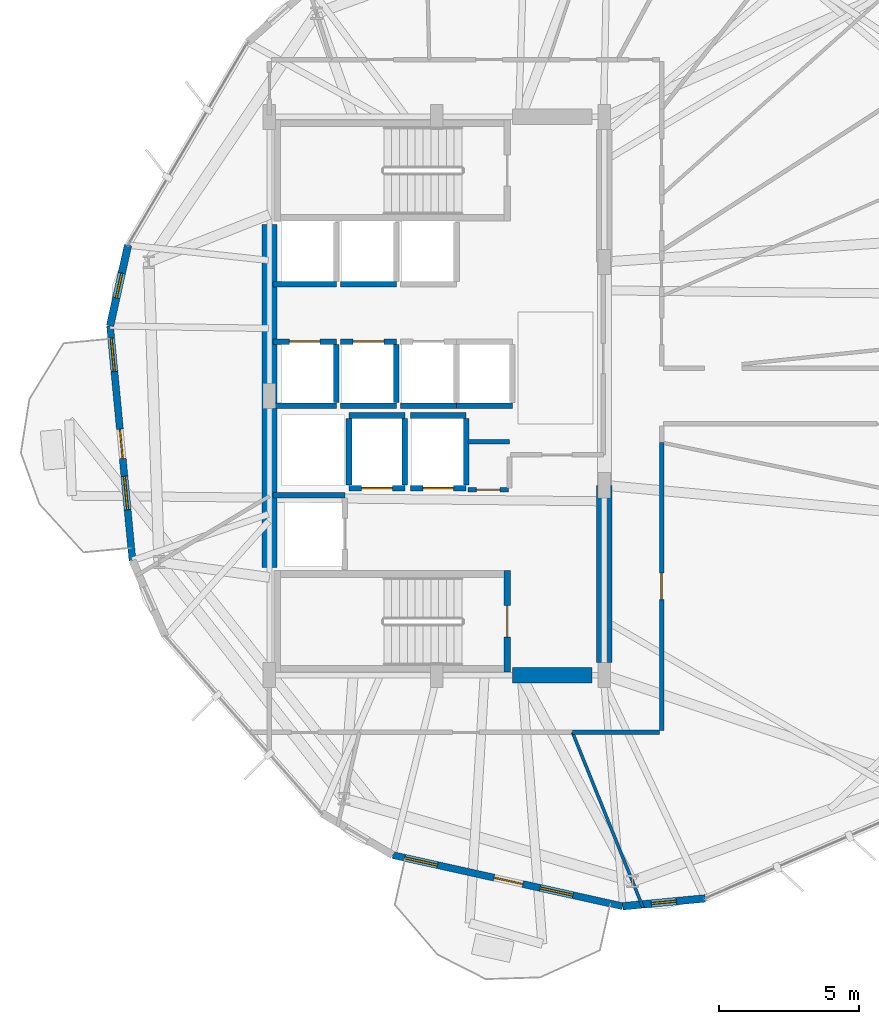
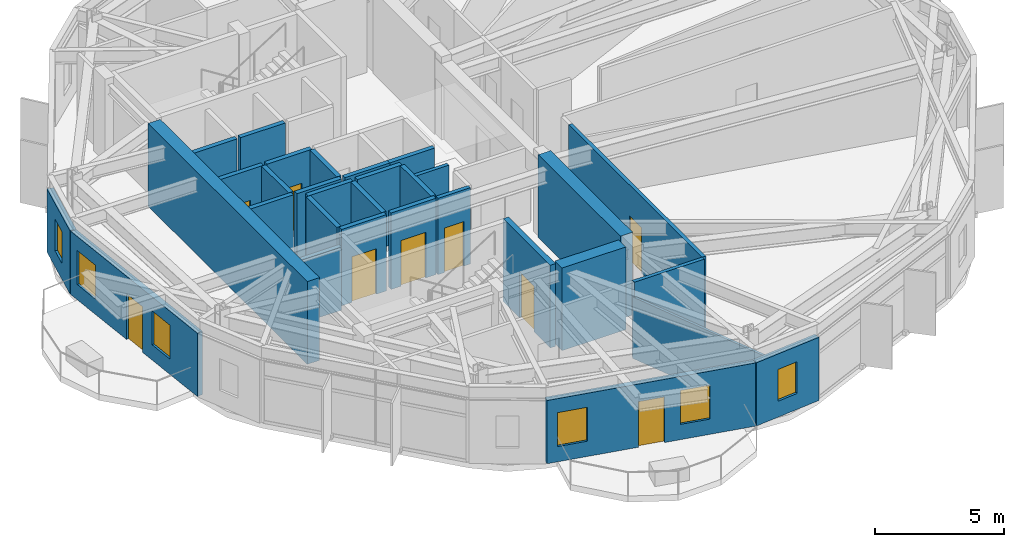
# One storey, part 18 of 23: 31 walls, 9 doors, 6 windows, 15 openings.
"""IFC4 building model written with IfcOpenShell, lengths in metres."""

import ifcopenshell
import ifcopenshell.guid

model = None  # the IFC model being written
_history = None  # IfcOwnerHistory: only IFC2X3 demands one
_inside = {}  # id of a spatial element -> (the spatial element, [elements in it])
_under = {}  # id of a project, library or spatial element -> (it, [spatial elements below it])
_declared = {}  # id of a project -> (the project, [libraries it declares])
_typed = {}  # id of a type object -> (the type object, [elements of that type])
_made_of = {}  # id of a material, layer set ... -> (it, [elements and type objects made of it])


def new_model(schema):
    """Start an empty IFC model of exactly this schema.

    Asked for "IFC4X3", IfcOpenShell would pick the latest addendum, in which some entities
    have other attributes; the version numbers below select the first issue.
    IFC2X3 requires an IfcOwnerHistory on every rooted entity: one is made here for all.
    """
    global model, _history
    if schema == "IFC4X3":
        model = ifcopenshell.file(schema_version=(4, 3, 0, 0))
    else:
        model = ifcopenshell.file(schema=schema)
    _inside.clear()
    _under.clear()
    _declared.clear()
    _typed.clear()
    _made_of.clear()
    _history = None
    if model.schema == "IFC2X3":
        org = make("IfcOrganization", Name="unknown")
        user = make(
            "IfcPersonAndOrganization",
            ThePerson=make("IfcPerson", FamilyName="unknown"),
            TheOrganization=org,
        )
        app = make(
            "IfcApplication",
            ApplicationDeveloper=org,
            Version="unknown",
            ApplicationFullName="unknown",
            ApplicationIdentifier="unknown",
        )
        _history = make(
            "IfcOwnerHistory",
            OwningUser=user,
            OwningApplication=app,
            ChangeAction="ADDED",
            CreationDate=0,
        )
    return model


def make(cls, **values):
    """One entity of the class cls with the attributes given. An attribute that is None is left unset."""
    return model.create_entity(
        cls, **{name: value for name, value in values.items() if value is not None}
    )


def rooted(cls, **values):
    """An entity with a GlobalId (a new one), such as an element, a storey or a relation."""
    return make(cls, GlobalId=ifcopenshell.guid.new(), OwnerHistory=_history, **values)


def si_unit(unit_type, name, prefix=None):
    """IfcSIUnit, for example si_unit("LENGTHUNIT", "METRE", prefix="MILLI")."""
    return make("IfcSIUnit", UnitType=unit_type, Prefix=prefix, Name=name)


def assignment(units):
    """IfcUnitAssignment: the units of a project."""
    return None if units is None else make("IfcUnitAssignment", Units=units)


def point(xyz):
    """IfcCartesianPoint."""
    return None if xyz is None else make("IfcCartesianPoint", Coordinates=xyz)


def direction(xyz):
    """IfcDirection."""
    return None if xyz is None else make("IfcDirection", DirectionRatios=xyz)


def frame(location, z_axis=None, x_axis=None):
    """IfcAxis2Placement3D, a coordinate frame: its origin and axes. An axis left out is left unset."""
    return make(
        "IfcAxis2Placement3D",
        Location=point(location),
        Axis=direction(z_axis),
        RefDirection=direction(x_axis),
    )


def frame_2d(location, x_axis=None):
    """IfcAxis2Placement2D, a coordinate frame in the plane: its origin and x axis."""
    return make(
        "IfcAxis2Placement2D", Location=point(location), RefDirection=direction(x_axis)
    )


def origin():
    """The frame at (0, 0, 0) with its axes left unset."""
    return frame((0.0, 0.0, 0.0))


def place(relative_to, where):
    """IfcLocalPlacement: puts the frame where relative to a parent placement (None: the world)."""
    return make(
        "IfcLocalPlacement", PlacementRelTo=relative_to, RelativePlacement=where
    )


def context(
    kind, dimensions, precision=None, world=None, true_north=None, identifier=None
):
    """IfcGeometricRepresentationContext, for example the 3D "Model" context."""
    return make(
        "IfcGeometricRepresentationContext",
        ContextIdentifier=identifier,
        ContextType=kind,
        CoordinateSpaceDimension=dimensions,
        Precision=precision,
        WorldCoordinateSystem=world,
        TrueNorth=true_north,
    )


def subcontext(parent, identifier, kind, view, scale=None):
    """IfcGeometricRepresentationSubContext, for example "Body" below "Model"."""
    return make(
        "IfcGeometricRepresentationSubContext",
        ContextIdentifier=identifier,
        ContextType=kind,
        ParentContext=parent,
        TargetScale=scale,
        TargetView=view,
    )


def project(units=None, contexts=None):
    """IfcProject with its units and contexts."""
    return rooted(
        "IfcProject",
        Name="project",
        RepresentationContexts=contexts,
        UnitsInContext=assignment(units),
    )


def spatial(cls, under=None, at=None, **own):
    """A site, building, storey or space (cls), placed at a placement, below another one or the project."""
    s = rooted(cls, ObjectPlacement=at, **own)
    if under is not None:
        _under.setdefault(under.id(), (under, []))[1].append(s)
    return s


def profile(cls, at=None, kind="AREA", **sizes):
    """A parametric profile (cls). Its sizes go by their IFC names, for example OverallWidth=200.0."""
    return make(cls, ProfileType=kind, Position=at, **sizes)


def rectangle(**sizes):
    """IfcRectangleProfileDef."""
    return profile("IfcRectangleProfileDef", **sizes)


def extrude(swept, where, along, depth):
    """IfcExtrudedAreaSolid: the profile swept, set in the frame where, extruded along a direction by depth."""
    return make(
        "IfcExtrudedAreaSolid",
        SweptArea=swept,
        Position=where,
        ExtrudedDirection=direction(along),
        Depth=depth,
    )


def shape(context_of_items, identifier, shape_type, items):
    """IfcShapeRepresentation: the items that make up one representation, for example the "Body"."""
    return make(
        "IfcShapeRepresentation",
        ContextOfItems=context_of_items,
        RepresentationIdentifier=identifier,
        RepresentationType=shape_type,
        Items=items,
    )


def material(Name=None, Category=None):
    """IfcMaterial."""
    return make("IfcMaterial", Name=Name, Category=Category)


def layer(
    of_material, thickness, ventilated=None, Name=None, Category=None, Priority=None
):
    """IfcMaterialLayer: one layer of a wall or slab, of a material (None: an air gap)."""
    return make(
        "IfcMaterialLayer",
        Material=of_material,
        LayerThickness=thickness,
        IsVentilated=ventilated,
        Name=Name,
        Category=Category,
        Priority=Priority,
    )


def layer_set(layers, Name=None):
    """IfcMaterialLayerSet."""
    return make("IfcMaterialLayerSet", MaterialLayers=layers, LayerSetName=Name)


def made_of(thing, what):
    """Note that an element or type object is made of a material, layer set ...; save() writes the relation."""
    if what is not None:
        _made_of.setdefault(what.id(), (what, []))[1].append(thing)
    return thing


def type_object(cls, material=None, **own):
    """A type object (cls), such as IfcWallType, which elements share."""
    return made_of(rooted(cls, **own), material)


def element(
    cls,
    number,
    at=None,
    inside=None,
    cuts=None,
    type_object=None,
    material=None,
    context=None,
    identifier="Body",
    shape_type=None,
    held_by="IfcProductDefinitionShape",
    body=None,
    shapes=None,
    **own,
):
    """One element of the class cls, such as IfcWall. Its Tag is "e" and its number.

    at: its placement. inside: the storey or other place that contains it. cuts: it is an
    opening in that element (IfcRelVoidsElement). A single representation is given by context,
    identifier, shape_type and body (its items); several are given by shapes. held_by: the class
    of the entity that holds the representations. save() writes the other relations.
    """
    e = rooted(cls, Tag="e%d" % number, ObjectPlacement=at, **own)
    if body is not None:
        shapes = [shape(context, identifier, shape_type, body)]
    if shapes is not None:
        e.Representation = make(held_by, Representations=shapes)
    if inside is not None:
        _inside.setdefault(inside.id(), (inside, []))[1].append(e)
    if cuts is not None:
        rooted(
            "IfcRelVoidsElement", RelatingBuildingElement=cuts, RelatedOpeningElement=e
        )
    if type_object is not None:
        _typed.setdefault(type_object.id(), (type_object, []))[1].append(e)
    return made_of(e, material)


def fill(opening, filler):
    """IfcRelFillsElement: the door or window that sits in an opening."""
    return rooted(
        "IfcRelFillsElement",
        RelatingOpeningElement=opening,
        RelatedBuildingElement=filler,
    )


def aggregate(whole, parts):
    """IfcRelAggregates: a whole, such as a stair, and the parts it consists of."""
    return rooted("IfcRelAggregates", RelatingObject=whole, RelatedObjects=parts)


def save(model, path):
    """Write the relations noted so far, then the file.

    IfcRelAggregates (storeys below a building ...), IfcRelContainedInSpatialStructure (elements
    in a storey), IfcRelDefinesByType, IfcRelAssociatesMaterial and IfcRelDeclares: one each for
    every whole, place, type object, material and project.
    """
    for whole, parts in _under.values():
        aggregate(whole, parts)
    for where, things in _inside.values():
        rooted(
            "IfcRelContainedInSpatialStructure",
            RelatedElements=things,
            RelatingStructure=where,
        )
    for kind, things in _typed.values():
        rooted("IfcRelDefinesByType", RelatedObjects=things, RelatingType=kind)
    for what, things in _made_of.values():
        rooted("IfcRelAssociatesMaterial", RelatedObjects=things, RelatingMaterial=what)
    for by, libraries in _declared.values():
        rooted("IfcRelDeclares", RelatingContext=by, RelatedDefinitions=libraries)
    model.write(path)


model = new_model("IFC4")

# Units and contexts
model_context = context("Model", 3, precision=1e-05, world=origin(), true_north=direction((0.0, 1.0)))
body_context = subcontext(model_context, "Body", "Model", "MODEL_VIEW")
ifc_project = project(units=[si_unit("LENGTHUNIT", "METRE"), si_unit("AREAUNIT", "SQUARE_METRE"), si_unit("VOLUMEUNIT", "CUBIC_METRE"), si_unit("PLANEANGLEUNIT", "RADIAN"), si_unit("MASSUNIT", "GRAM", prefix="KILO")], contexts=[model_context])

# Site, building, storey
site_placement = place(None, origin())
site = spatial("IfcSite", under=ifc_project, at=site_placement, CompositionType="ELEMENT")
building_placement = place(site_placement, origin())
building = spatial("IfcBuilding", under=site, at=building_placement, Name="Soratama Intermodal Tower", CompositionType="ELEMENT")
storey_placement = place(building_placement, frame((0.0, 0.0, 118.60009765625)))
storey = spatial("IfcBuildingStorey", under=building, at=storey_placement, Name="L28", CompositionType="ELEMENT", Elevation=118.60009765625)

# Wall, openings, door, windows
ifc_material_1 = material(Name="Concrete f'c 42 MPa", Category="concrete")
ifc_layer_1 = layer(ifc_material_1, 0.25)
ifc_layer_set_1 = layer_set([ifc_layer_1], Name="Concrete f'c 42 MPa")
wall_type_1 = type_object("IfcWallType", Name="EW-BAL-250", PredefinedType="SOLIDWALL", material=ifc_layer_set_1)
wall_1_placement = place(storey_placement, frame((26.889404296875, 27.5087890625, 0.0), z_axis=(0.0, 0.0, 1.0), x_axis=(0.095124369878, -0.99546539581, 0.0)))
wall_1 = element("IfcWall", 1, at=wall_1_placement, inside=storey, type_object=wall_type_1, Name="L28 Terrace Wall F05", PredefinedType="SOLIDWALL", context=body_context, shape_type="SweptSolid", body=[
    extrude(rectangle(XDim=8.44140625, YDim=0.25, at=frame_2d((4.220703125, 0.0))), origin(), (0.0, 0.0, 1.0), 2.97900390625),
])
opening_1_placement = place(wall_1_placement, frame((3.720703125, 0.0, 0.0)))
opening_1 = element("IfcOpeningElement", 2, at=opening_1_placement, cuts=wall_1, Name="Opening ED-5", PredefinedType="OPENING", context=body_context, shape_type="SweptSolid", body=[
    extrude(rectangle(XDim=1.050048828125, YDim=2.14990234375, at=frame_2d((0.52490234375, 1.074951171875))), frame((0.0, 0.135009765625, 0.0), z_axis=(0.0, -1.0, 0.0), x_axis=(1.0, 0.0, 0.0)), (0.0, 0.0, 1.0), 0.27001953125),
])
opening_2_placement = place(wall_1_placement, frame((0.43994140625, 0.0, 0.719970703125)))
opening_2 = element("IfcOpeningElement", 3, at=opening_2_placement, cuts=wall_1, Name="Opening WN-2", PredefinedType="OPENING", context=body_context, shape_type="SweptSolid", body=[
    extrude(rectangle(XDim=1.199951171875, YDim=1.60009765625, at=frame_2d((0.60009765625, 0.800048828125))), frame((0.0, 0.135009765625, 0.0), z_axis=(0.0, -1.0, 0.0), x_axis=(1.0, 0.0, 0.0)), (0.0, 0.0, 1.0), 0.27001953125),
])
opening_3_placement = place(wall_1_placement, frame((5.41064453125, 0.0, 0.719970703125)))
opening_3 = element("IfcOpeningElement", 4, at=opening_3_placement, cuts=wall_1, Name="Opening WN-2", PredefinedType="OPENING", context=body_context, shape_type="SweptSolid", body=[
    extrude(rectangle(XDim=1.199951171875, YDim=1.60009765625, at=frame_2d((0.60009765625, 0.800048828125))), frame((0.0, 0.135009765625, 0.0), z_axis=(0.0, -1.0, 0.0), x_axis=(1.0, 0.0, 0.0)), (0.0, 0.0, 1.0), 0.27001953125),
])
ifc_material_2 = material(Name="Double-glazed aluminium door", Category="aluminium")
door_type_1 = type_object("IfcDoorType", Name="DR-BAL-1050", OperationType="NOTDEFINED", PredefinedType="DOOR", material=ifc_material_2)
door_1_placement = place(opening_1_placement, origin())
door_1 = element("IfcDoor", 5, at=door_1_placement, inside=storey, type_object=door_type_1, Name="L28 Balcony Door F05", OperationType="SINGLE_SWING_LEFT", OverallHeight=2.14990234375, OverallWidth=1.050048828125, PredefinedType="DOOR", context=body_context, shape_type="SweptSolid", body=[
    extrude(rectangle(XDim=1.050048828125, YDim=2.14990234375, at=frame_2d((0.52490234375, 1.074951171875))), frame((0.0, 0.02490234375, 0.0), z_axis=(0.0, -1.0, 0.0), x_axis=(1.0, 0.0, 0.0)), (0.0, 0.0, 1.0), 0.050048828125),
])
fill(opening_1, door_1)
ifc_material_3 = material(Name="Double-glazed aluminium window", Category="aluminium")
window_type_1 = type_object("IfcWindowType", Name="WN-FAC-1200", PartitioningType="SINGLE_PANEL", PredefinedType="WINDOW", material=ifc_material_3)
window_1_placement = place(opening_2_placement, origin())
window_1 = element("IfcWindow", 6, at=window_1_placement, inside=storey, type_object=window_type_1, Name="L28 Window A F05", OverallHeight=1.60009765625, OverallWidth=1.199951171875, PartitioningType="SINGLE_PANEL", PredefinedType="WINDOW", context=body_context, shape_type="SweptSolid", body=[
    extrude(rectangle(XDim=1.199951171875, YDim=1.60009765625, at=frame_2d((0.60009765625, 0.800048828125))), frame((0.0, 0.030029296875, 0.0), z_axis=(0.0, -1.0, 0.0), x_axis=(1.0, 0.0, 0.0)), (0.0, 0.0, 1.0), 0.06005859375),
])
fill(opening_2, window_1)
window_2_placement = place(opening_3_placement, origin())
window_2 = element("IfcWindow", 7, at=window_2_placement, inside=storey, type_object=window_type_1, Name="L28 Window B F05", OverallHeight=1.60009765625, OverallWidth=1.199951171875, PartitioningType="SINGLE_PANEL", PredefinedType="WINDOW", context=body_context, shape_type="SweptSolid", body=[
    extrude(rectangle(XDim=1.199951171875, YDim=1.60009765625, at=frame_2d((0.60009765625, 0.800048828125))), frame((0.0, 0.030029296875, 0.0), z_axis=(0.0, -1.0, 0.0), x_axis=(1.0, 0.0, 0.0)), (0.0, 0.0, 1.0), 0.06005859375),
])
fill(opening_3, window_2)

wall_2_placement = place(storey_placement, frame((37.017578125, 8.551025390625, 0.0), z_axis=(0.0, 0.0, 1.0), x_axis=(0.976144167336, -0.217123385606, 0.0)))
wall_2 = element("IfcWall", 8, at=wall_2_placement, inside=storey, type_object=wall_type_1, Name="L28 Terrace Wall F07", PredefinedType="SOLIDWALL", context=body_context, shape_type="SweptSolid", body=[
    extrude(rectangle(XDim=8.441162109375, YDim=0.25, at=frame_2d((4.220703125, 0.0))), origin(), (0.0, 0.0, 1.0), 2.97900390625),
])
opening_4_placement = place(wall_2_placement, frame((3.720703125, 0.0, 0.0)))
opening_4 = element("IfcOpeningElement", 9, at=opening_4_placement, cuts=wall_2, Name="Opening ED-5", PredefinedType="OPENING", context=body_context, shape_type="SweptSolid", body=[
    extrude(rectangle(XDim=1.050048828125, YDim=2.14990234375, at=frame_2d((0.52490234375, 1.074951171875))), frame((0.0, 0.135009765625, 0.0), z_axis=(0.0, -1.0, 0.0), x_axis=(1.0, 0.0, 0.0)), (0.0, 0.0, 1.0), 0.27001953125),
])
opening_5_placement = place(wall_2_placement, frame((0.43994140625, 0.0, 0.719970703125)))
opening_5 = element("IfcOpeningElement", 10, at=opening_5_placement, cuts=wall_2, Name="Opening WN-2", PredefinedType="OPENING", context=body_context, shape_type="SweptSolid", body=[
    extrude(rectangle(XDim=1.199951171875, YDim=1.60009765625, at=frame_2d((0.60009765625, 0.800048828125))), frame((0.0, 0.135009765625, 0.0), z_axis=(0.0, -1.0, 0.0), x_axis=(1.0, 0.0, 0.0)), (0.0, 0.0, 1.0), 0.27001953125),
])
opening_6_placement = place(wall_2_placement, frame((5.41064453125, 0.0, 0.719970703125)))
opening_6 = element("IfcOpeningElement", 11, at=opening_6_placement, cuts=wall_2, Name="Opening WN-2", PredefinedType="OPENING", context=body_context, shape_type="SweptSolid", body=[
    extrude(rectangle(XDim=1.199951171875, YDim=1.60009765625, at=frame_2d((0.60009765625, 0.800048828125))), frame((0.0, 0.135009765625, 0.0), z_axis=(0.0, -1.0, 0.0), x_axis=(1.0, 0.0, 0.0)), (0.0, 0.0, 1.0), 0.27001953125),
])
door_2_placement = place(opening_4_placement, origin())
door_2 = element("IfcDoor", 12, at=door_2_placement, inside=storey, type_object=door_type_1, Name="L28 Balcony Door F07", OperationType="SINGLE_SWING_LEFT", OverallHeight=2.14990234375, OverallWidth=1.050048828125, PredefinedType="DOOR", context=body_context, shape_type="SweptSolid", body=[
    extrude(rectangle(XDim=1.050048828125, YDim=2.14990234375, at=frame_2d((0.52490234375, 1.074951171875))), frame((0.0, 0.02490234375, 0.0), z_axis=(0.0, -1.0, 0.0), x_axis=(1.0, 0.0, 0.0)), (0.0, 0.0, 1.0), 0.050048828125),
])
fill(opening_4, door_2)
window_3_placement = place(opening_5_placement, origin())
window_3 = element("IfcWindow", 13, at=window_3_placement, inside=storey, type_object=window_type_1, Name="L28 Window A F07", OverallHeight=1.60009765625, OverallWidth=1.199951171875, PartitioningType="SINGLE_PANEL", PredefinedType="WINDOW", context=body_context, shape_type="SweptSolid", body=[
    extrude(rectangle(XDim=1.199951171875, YDim=1.60009765625, at=frame_2d((0.60009765625, 0.800048828125))), frame((0.0, 0.030029296875, 0.0), z_axis=(0.0, -1.0, 0.0), x_axis=(1.0, 0.0, 0.0)), (0.0, 0.0, 1.0), 0.06005859375),
])
fill(opening_5, window_3)
window_4_placement = place(opening_6_placement, origin())
window_4 = element("IfcWindow", 14, at=window_4_placement, inside=storey, type_object=window_type_1, Name="L28 Window B F07", OverallHeight=1.60009765625, OverallWidth=1.199951171875, PartitioningType="SINGLE_PANEL", PredefinedType="WINDOW", context=body_context, shape_type="SweptSolid", body=[
    extrude(rectangle(XDim=1.199951171875, YDim=1.60009765625, at=frame_2d((0.60009765625, 0.800048828125))), frame((0.0, 0.030029296875, 0.0), z_axis=(0.0, -1.0, 0.0), x_axis=(1.0, 0.0, 0.0)), (0.0, 0.0, 1.0), 0.06005859375),
])
fill(opening_6, window_4)

# Wall, opening, window
ifc_material_4 = material(Name="Concrete f'c 42 MPa", Category="concrete")
ifc_layer_2 = layer(ifc_material_4, 0.27001953125)
ifc_layer_set_2 = layer_set([ifc_layer_2], Name="Concrete f'c 42 MPa")
wall_type_2 = type_object("IfcWallType", Name="EW-CRN-270", PredefinedType="SOLIDWALL", material=ifc_layer_set_2)
wall_3_placement = place(storey_placement, frame((27.533447265625, 30.404541015625, 0.0), z_axis=(0.0, 0.0, 1.0), x_axis=(-0.217104734575, -0.97614831569, 0.0)))
wall_3 = element("IfcWall", 15, at=wall_3_placement, inside=storey, type_object=wall_type_2, Name="L28 Corner Closure Wall 04", PredefinedType="SOLIDWALL", context=body_context, shape_type="SweptSolid", body=[
    extrude(rectangle(XDim=2.966552734375, YDim=0.27001953125, at=frame_2d((1.4833984375, 0.0))), origin(), (0.0, 0.0, 1.0), 2.97900390625),
])
opening_7_placement = place(wall_3_placement, frame((1.033203125, 0.0, 0.75)))
opening_7 = element("IfcOpeningElement", 16, at=opening_7_placement, cuts=wall_3, Name="Opening WN-6", PredefinedType="OPENING", context=body_context, shape_type="SweptSolid", body=[
    extrude(rectangle(XDim=0.89990234375, YDim=1.5, at=frame_2d((0.449951171875, 0.75))), frame((0.0, 0.14501953125, 0.0), z_axis=(0.0, -1.0, 0.0), x_axis=(1.0, 0.0, 0.0)), (0.0, 0.0, 1.0), 0.2900390625),
])
ifc_material_5 = material(Name="Double-glazed aluminium window", Category="aluminium")
window_type_2 = type_object("IfcWindowType", Name="WN-FAC-900", PartitioningType="SINGLE_PANEL", PredefinedType="WINDOW", material=ifc_material_5)
window_5_placement = place(opening_7_placement, origin())
window_5 = element("IfcWindow", 17, at=window_5_placement, inside=storey, type_object=window_type_2, Name="L28 Corner Window 04", OverallHeight=1.5, OverallWidth=0.89990234375, PartitioningType="SINGLE_PANEL", PredefinedType="WINDOW", context=body_context, shape_type="SweptSolid", body=[
    extrude(rectangle(XDim=0.89990234375, YDim=1.5, at=frame_2d((0.449951171875, 0.75))), frame((0.0, 0.030029296875, 0.0), z_axis=(0.0, -1.0, 0.0), x_axis=(1.0, 0.0, 0.0)), (0.0, 0.0, 1.0), 0.06005859375),
])
fill(opening_7, window_5)

wall_4_placement = place(storey_placement, frame((45.25732421875, 6.71826171875, 0.0), z_axis=(0.0, 0.0, 1.0), x_axis=(0.995464349716, 0.095135316491, 0.0)))
wall_4 = element("IfcWall", 18, at=wall_4_placement, inside=storey, type_object=wall_type_2, Name="L28 Corner Closure Wall 07", PredefinedType="SOLIDWALL", context=body_context, shape_type="SweptSolid", body=[
    extrude(rectangle(XDim=2.966552734375, YDim=0.27001953125, at=frame_2d((1.4833984375, 0.0))), origin(), (0.0, 0.0, 1.0), 2.97900390625),
])
opening_8_placement = place(wall_4_placement, frame((1.033203125, 0.0, 0.75)))
opening_8 = element("IfcOpeningElement", 19, at=opening_8_placement, cuts=wall_4, Name="Opening WN-6", PredefinedType="OPENING", context=body_context, shape_type="SweptSolid", body=[
    extrude(rectangle(XDim=0.89990234375, YDim=1.5, at=frame_2d((0.449951171875, 0.75))), frame((0.0, 0.14501953125, 0.0), z_axis=(0.0, -1.0, 0.0), x_axis=(1.0, 0.0, 0.0)), (0.0, 0.0, 1.0), 0.2900390625),
])
window_6_placement = place(opening_8_placement, origin())
window_6 = element("IfcWindow", 20, at=window_6_placement, inside=storey, type_object=window_type_2, Name="L28 Corner Window 07", OverallHeight=1.5, OverallWidth=0.89990234375, PartitioningType="SINGLE_PANEL", PredefinedType="WINDOW", context=body_context, shape_type="SweptSolid", body=[
    extrude(rectangle(XDim=0.89990234375, YDim=1.5, at=frame_2d((0.449951171875, 0.75))), frame((0.0, 0.030029296875, 0.0), z_axis=(0.0, -1.0, 0.0), x_axis=(1.0, 0.0, 0.0)), (0.0, 0.0, 1.0), 0.06005859375),
])
fill(opening_8, window_6)

# Wall, opening, door
ifc_material_6 = material(Name="Fire-rated gypsum stud partition", Category="concrete")
ifc_layer_3 = layer(ifc_material_6, 0.159912109375)
ifc_layer_set_3 = layer_set([ifc_layer_3], Name="Fire-rated gypsum stud partition")
wall_type_3 = type_object("IfcWallType", Name="IW-PART-R160", PredefinedType="PARTITIONING", material=ifc_layer_set_3)
wall_5_placement = place(storey_placement, frame((46.64990234375, 23.330078125, 0.0), z_axis=(0.0, 0.0, 1.0), x_axis=(0.0, -1.0, 0.0)))
wall_5 = element("IfcWall", 21, at=wall_5_placement, inside=storey, type_object=wall_type_3, Name="L28 Partition W-L28-TP008", PredefinedType="PARTITIONING", context=body_context, shape_type="SweptSolid", body=[
    extrude(rectangle(XDim=10.31005859375, YDim=0.159912109375, at=frame_2d((5.155029296875, 0.0))), origin(), (0.0, 0.0, 1.0), 3.599853515625),
])
opening_9_placement = place(wall_5_placement, frame((4.679931640625, 0.0, 0.0)))
opening_9 = element("IfcOpeningElement", 22, at=opening_9_placement, cuts=wall_5, Name="Opening ID-3", PredefinedType="OPENING", context=body_context, shape_type="SweptSolid", body=[
    extrude(rectangle(XDim=0.949951171875, YDim=2.14990234375, at=frame_2d((0.47509765625, 1.074951171875))), frame((0.0, 0.08984375, 0.0), z_axis=(0.0, -1.0, 0.0), x_axis=(1.0, 0.0, 0.0)), (0.0, 0.0, 1.0), 0.179931640625),
])
ifc_material_7 = material(Name="Solid hardwood acoustic door", Category="wood")
door_type_2 = type_object("IfcDoorType", Name="DR-ROOM-950", OperationType="NOTDEFINED", PredefinedType="DOOR", material=ifc_material_7)
door_3_placement = place(opening_9_placement, origin())
door_3 = element("IfcDoor", 23, at=door_3_placement, inside=storey, type_object=door_type_2, Name="L28 Door D-L28-TP003", OperationType="SINGLE_SWING_RIGHT", OverallHeight=2.14990234375, OverallWidth=0.949951171875, PredefinedType="DOOR", context=body_context, shape_type="SweptSolid", body=[
    extrude(rectangle(XDim=0.949951171875, YDim=2.14990234375, at=frame_2d((0.47509765625, 1.074951171875))), frame((0.0, 0.02490234375, 0.0), z_axis=(0.0, -1.0, 0.0), x_axis=(1.0, 0.0, 0.0)), (0.0, 0.0, 1.0), 0.050048828125),
])
fill(opening_9, door_3)

# Walls
wall_6_placement = place(storey_placement, frame((46.580078125, 12.949951171875, 0.0), z_axis=(0.0, 0.0, 1.0), x_axis=(-1.0, 0.0, 0.0)))
element("IfcWall", 24, at=wall_6_placement, inside=storey, type_object=wall_type_3, Name="L28 Partition W-L28-TP022", PredefinedType="PARTITIONING", context=body_context, shape_type="SweptSolid", body=[
    extrude(rectangle(XDim=3.125, YDim=0.159912109375, at=frame_2d((1.5625, 0.0))), origin(), (0.0, 0.0, 1.0), 3.599853515625),
])
wall_7_placement = place(storey_placement, frame((41.199951171875, 23.360107421875, 0.0), z_axis=(0.0, 0.0, 1.0), x_axis=(-1.0, 0.0, 0.0)))
element("IfcWall", 25, at=wall_7_placement, inside=storey, type_object=wall_type_3, Name="L28 Partition W-L28-TP037", PredefinedType="PARTITIONING", context=body_context, shape_type="SweptSolid", body=[
    extrude(rectangle(XDim=1.47998046875, YDim=0.159912109375, at=frame_2d((0.739990234375, 0.0))), origin(), (0.0, 0.0, 1.0), 3.599853515625),
])

# Wall, opening, door
ifc_material_8 = material(Name="Fire-rated gypsum stud partition", Category="concrete")
ifc_layer_4 = layer(ifc_material_8, 0.169921875)
ifc_layer_set_4 = layer_set([ifc_layer_4], Name="Fire-rated gypsum stud partition")
wall_type_4 = type_object("IfcWallType", Name="IW-PART-R170", PredefinedType="PARTITIONING", material=ifc_layer_set_4)
wall_8_placement = place(storey_placement, frame((39.719970703125, 21.639892578125, 0.0), z_axis=(0.0, 0.0, 1.0), x_axis=(1.0, 0.0, 0.0)))
wall_8 = element("IfcWall", 26, at=wall_8_placement, inside=storey, type_object=wall_type_4, Name="L28 Partition W-L28-TP034", PredefinedType="PARTITIONING", context=body_context, shape_type="SweptSolid", body=[
    extrude(rectangle(XDim=1.43994140625, YDim=0.169921875, at=frame_2d((0.719970703125, 0.0))), origin(), (0.0, 0.0, 1.0), 3.599853515625),
])
opening_10_placement = place(wall_8_placement, frame((0.294921875, 0.0, 0.0)))
opening_10 = element("IfcOpeningElement", 27, at=opening_10_placement, cuts=wall_8, Name="Opening ID-4", PredefinedType="OPENING", context=body_context, shape_type="SweptSolid", body=[
    extrude(rectangle(XDim=0.85009765625, YDim=2.10009765625, at=frame_2d((0.425048828125, 1.050048828125))), frame((0.0, 0.094970703125, 0.0), z_axis=(0.0, -1.0, 0.0), x_axis=(1.0, 0.0, 0.0)), (0.0, 0.0, 1.0), 0.18994140625),
])
ifc_material_9 = material(Name="Solid hardwood acoustic door", Category="wood")
door_type_3 = type_object("IfcDoorType", Name="DR-BATH-850", OperationType="NOTDEFINED", PredefinedType="DOOR", material=ifc_material_9)
door_4_placement = place(opening_10_placement, origin())
door_4 = element("IfcDoor", 28, at=door_4_placement, inside=storey, type_object=door_type_3, Name="L28 Door D-L28-TP017", OperationType="SINGLE_SWING_RIGHT", OverallHeight=2.10009765625, OverallWidth=0.85009765625, PredefinedType="DOOR", context=body_context, shape_type="SweptSolid", body=[
    extrude(rectangle(XDim=0.85009765625, YDim=2.10009765625, at=frame_2d((0.425048828125, 1.050048828125))), frame((0.0, 0.02490234375, 0.0), z_axis=(0.0, -1.0, 0.0), x_axis=(1.0, 0.0, 0.0)), (0.0, 0.0, 1.0), 0.050048828125),
])
fill(opening_10, door_4)

# Wall
ifc_material_10 = material(Name="Fire-rated gypsum stud partition", Category="concrete")
ifc_layer_5 = layer(ifc_material_10, 0.110107421875)
ifc_layer_set_5 = layer_set([ifc_layer_5], Name="Fire-rated gypsum stud partition")
wall_type_5 = type_object("IfcWallType", Name="IW-PART-S110", PredefinedType="PARTITIONING", material=ifc_layer_set_5)
wall_9_placement = place(storey_placement, frame((43.455078125, 12.949951171875, 0.0), z_axis=(0.0, 0.0, 1.0), x_axis=(0.37369103283, -0.927553239433, 0.0)))
element("IfcWall", 29, at=wall_9_placement, inside=storey, type_object=wall_type_5, Name="L28 Partition W-L28-TP012", PredefinedType="PARTITIONING", context=body_context, shape_type="SweptSolid", body=[
    extrude(rectangle(XDim=6.76708984375, YDim=0.110107421875, at=frame_2d((3.383544921875, 0.0))), origin(), (0.0, 0.0, 1.0), 2.89501953125),
])

# Wall, opening, door
ifc_material_11 = material(Name="Concrete f'c 42 MPa", Category="concrete")
ifc_layer_6 = layer(ifc_material_11, 0.199951171875)
ifc_layer_set_6 = layer_set([ifc_layer_6], Name="Concrete f'c 42 MPa")
wall_type_6 = type_object("IfcWallType", Name="IW-SHAFT-200", PredefinedType="SOLIDWALL", material=ifc_layer_set_6)
wall_10_placement = place(storey_placement, frame((35.449951171875, 21.699951171875, 0.0), z_axis=(0.0, 0.0, 1.0), x_axis=(1.0, 0.0, 0.0)))
wall_10 = element("IfcWall", 30, at=wall_10_placement, inside=storey, type_object=wall_type_6, Name="L28 FFL-1 Hoistway Wall S", PredefinedType="SOLIDWALL", context=body_context, shape_type="SweptSolid", body=[
    extrude(rectangle(XDim=2.0, YDim=0.199951171875, at=frame_2d((1.0, 0.0))), origin(), (0.0, 0.0, 1.0), 3.599853515625),
])
opening_11_placement = place(wall_10_placement, frame((0.449951171875, 0.0, 0.0)))
opening_11 = element("IfcOpeningElement", 31, at=opening_11_placement, cuts=wall_10, Name="Opening LD-1", PredefinedType="OPENING", context=body_context, shape_type="SweptSolid", body=[
    extrude(rectangle(XDim=1.10009765625, YDim=2.14990234375, at=frame_2d((0.550048828125, 1.074951171875))), frame((0.0, 0.10986328125, 0.0), z_axis=(0.0, -1.0, 0.0), x_axis=(1.0, 0.0, 0.0)), (0.0, 0.0, 1.0), 0.219970703125),
])
ifc_material_12 = material(Name="Steel fire door", Category="steel")
door_type_4 = type_object("IfcDoorType", Name="DR-LIFT-SLIDE", OperationType="NOTDEFINED", PredefinedType="DOOR", material=ifc_material_12)
door_5_placement = place(opening_11_placement, origin())
door_5 = element("IfcDoor", 32, at=door_5_placement, inside=storey, type_object=door_type_4, Name="L28 FFL-1 Sliding Landing Door", OperationType="SLIDING_TO_LEFT", OverallHeight=2.14990234375, OverallWidth=1.10009765625, PredefinedType="DOOR", context=body_context, shape_type="SweptSolid", body=[
    extrude(rectangle(XDim=1.10009765625, YDim=2.14990234375, at=frame_2d((0.550048828125, 1.074951171875))), frame((0.0, 0.02490234375, 0.0), z_axis=(0.0, -1.0, 0.0), x_axis=(1.0, 0.0, 0.0)), (0.0, 0.0, 1.0), 0.050048828125),
])
fill(opening_11, door_5)

# Walls
wall_11_placement = place(storey_placement, frame((35.449951171875, 24.300048828125, 0.0), z_axis=(0.0, 0.0, 1.0), x_axis=(1.0, 0.0, 0.0)))
element("IfcWall", 33, at=wall_11_placement, inside=storey, type_object=wall_type_6, Name="L28 FFL-1 Hoistway Wall N", PredefinedType="SOLIDWALL", context=body_context, shape_type="SweptSolid", body=[
    extrude(rectangle(XDim=2.0, YDim=0.199951171875, at=frame_2d((1.0, 0.0))), origin(), (0.0, 0.0, 1.0), 3.599853515625),
])
for number, where, z_axis, x_axis, name in (
    (34, (35.449951171875, 21.81005859375, 0.0), (0.0, 0.0, 1.0), (0.0, 1.0, 0.0), "L28 FFL-1 Hoistway Wall W"),
    (35, (37.449951171875, 21.81005859375, 0.0), (0.0, 0.0, 1.0), (0.0, 1.0, 0.0), "L28 FFL-1 Hoistway Wall E"),
):
    element("IfcWall", number, at=place(storey_placement, frame(where, z_axis=z_axis, x_axis=x_axis)), inside=storey, type_object=wall_type_6, Name=name, PredefinedType="SOLIDWALL", context=body_context, shape_type="SweptSolid", body=[
        extrude(rectangle(XDim=2.3798828125, YDim=0.199951171875, at=frame_2d((1.18994140625, 0.0))), origin(), (0.0, 0.0, 1.0), 3.599853515625),
    ])

# Wall, opening, door
wall_12_placement = place(storey_placement, frame((37.64990234375, 21.699951171875, 0.0), z_axis=(0.0, 0.0, 1.0), x_axis=(1.0, 0.0, 0.0)))
wall_12 = element("IfcWall", 36, at=wall_12_placement, inside=storey, type_object=wall_type_6, Name="L28 FFL-2 Hoistway Wall S", PredefinedType="SOLIDWALL", context=body_context, shape_type="SweptSolid", body=[
    extrude(rectangle(XDim=2.0, YDim=0.199951171875, at=frame_2d((1.0, 0.0))), origin(), (0.0, 0.0, 1.0), 3.599853515625),
])
opening_12_placement = place(wall_12_placement, frame((0.449951171875, 0.0, 0.0)))
opening_12 = element("IfcOpeningElement", 37, at=opening_12_placement, cuts=wall_12, Name="Opening LD-1", PredefinedType="OPENING", context=body_context, shape_type="SweptSolid", body=[
    extrude(rectangle(XDim=1.10009765625, YDim=2.14990234375, at=frame_2d((0.550048828125, 1.074951171875))), frame((0.0, 0.10986328125, 0.0), z_axis=(0.0, -1.0, 0.0), x_axis=(1.0, 0.0, 0.0)), (0.0, 0.0, 1.0), 0.219970703125),
])
door_6_placement = place(opening_12_placement, origin())
door_6 = element("IfcDoor", 38, at=door_6_placement, inside=storey, type_object=door_type_4, Name="L28 FFL-2 Sliding Landing Door", OperationType="SLIDING_TO_LEFT", OverallHeight=2.14990234375, OverallWidth=1.10009765625, PredefinedType="DOOR", context=body_context, shape_type="SweptSolid", body=[
    extrude(rectangle(XDim=1.10009765625, YDim=2.14990234375, at=frame_2d((0.550048828125, 1.074951171875))), frame((0.0, 0.02490234375, 0.0), z_axis=(0.0, -1.0, 0.0), x_axis=(1.0, 0.0, 0.0)), (0.0, 0.0, 1.0), 0.050048828125),
])
fill(opening_12, door_6)

# Walls
wall_13_placement = place(storey_placement, frame((37.64990234375, 24.300048828125, 0.0), z_axis=(0.0, 0.0, 1.0), x_axis=(1.0, 0.0, 0.0)))
element("IfcWall", 39, at=wall_13_placement, inside=storey, type_object=wall_type_6, Name="L28 FFL-2 Hoistway Wall N", PredefinedType="SOLIDWALL", context=body_context, shape_type="SweptSolid", body=[
    extrude(rectangle(XDim=2.0, YDim=0.199951171875, at=frame_2d((1.0, 0.0))), origin(), (0.0, 0.0, 1.0), 3.599853515625),
])
wall_14_placement = place(storey_placement, frame((39.64990234375, 21.81005859375, 0.0), z_axis=(0.0, 0.0, 1.0), x_axis=(0.0, 1.0, 0.0)))
element("IfcWall", 40, at=wall_14_placement, inside=storey, type_object=wall_type_6, Name="L28 FFL-2 Hoistway Wall E", PredefinedType="SOLIDWALL", context=body_context, shape_type="SweptSolid", body=[
    extrude(rectangle(XDim=2.3798828125, YDim=0.199951171875, at=frame_2d((1.18994140625, 0.0))), origin(), (0.0, 0.0, 1.0), 3.599853515625),
])
wall_15_placement = place(storey_placement, frame((32.719970703125, 21.449951171875, 0.0), z_axis=(0.0, 0.0, 1.0), x_axis=(1.0, 0.0, 0.0)))
element("IfcWall", 41, at=wall_15_placement, inside=storey, type_object=wall_type_6, Name="L28 SVL-1 Hoistway Wall N", PredefinedType="SOLIDWALL", context=body_context, shape_type="SweptSolid", body=[
    extrude(rectangle(XDim=2.580078125, YDim=0.199951171875, at=frame_2d((1.2900390625, 0.0))), origin(), (0.0, 0.0, 1.0), 2.973876953125),
])
wall_16_placement = place(storey_placement, frame((32.719970703125, 24.64990234375, 0.0), z_axis=(0.0, 0.0, 1.0), x_axis=(1.0, 0.0, 0.0)))
element("IfcWall", 42, at=wall_16_placement, inside=storey, type_object=wall_type_6, Name="L28 PL-L1 Hoistway Wall S", PredefinedType="SOLIDWALL", context=body_context, shape_type="SweptSolid", body=[
    extrude(rectangle(XDim=2.280029296875, YDim=0.199951171875, at=frame_2d((1.14013671875, 0.0))), origin(), (0.0, 0.0, 1.0), 3.599853515625),
])

# Wall, opening, door
wall_17_placement = place(storey_placement, frame((32.719970703125, 26.949951171875, 0.0), z_axis=(0.0, 0.0, 1.0), x_axis=(1.0, 0.0, 0.0)))
wall_17 = element("IfcWall", 43, at=wall_17_placement, inside=storey, type_object=wall_type_6, Name="L28 PL-L1 Hoistway Wall N", PredefinedType="SOLIDWALL", context=body_context, shape_type="SweptSolid", body=[
    extrude(rectangle(XDim=2.280029296875, YDim=0.199951171875, at=frame_2d((1.14013671875, 0.0))), origin(), (0.0, 0.0, 1.0), 3.599853515625),
])
opening_13_placement = place(wall_17_placement, frame((0.590087890625, 0.0, 0.0)))
opening_13 = element("IfcOpeningElement", 44, at=opening_13_placement, cuts=wall_17, Name="Opening LD-1", PredefinedType="OPENING", context=body_context, shape_type="SweptSolid", body=[
    extrude(rectangle(XDim=1.10009765625, YDim=2.14990234375, at=frame_2d((0.550048828125, 1.074951171875))), frame((0.0, 0.10986328125, 0.0), z_axis=(0.0, -1.0, 0.0), x_axis=(1.0, 0.0, 0.0)), (0.0, 0.0, 1.0), 0.219970703125),
])
door_7_placement = place(opening_13_placement, origin())
door_7 = element("IfcDoor", 45, at=door_7_placement, inside=storey, type_object=door_type_4, Name="L28 PL-L1 Sliding Landing Door", OperationType="SLIDING_TO_LEFT", OverallHeight=2.14990234375, OverallWidth=1.10009765625, PredefinedType="DOOR", context=body_context, shape_type="SweptSolid", body=[
    extrude(rectangle(XDim=1.10009765625, YDim=2.14990234375, at=frame_2d((0.550048828125, 1.074951171875))), frame((0.0, 0.02490234375, 0.0), z_axis=(0.0, -1.0, 0.0), x_axis=(1.0, 0.0, 0.0)), (0.0, 0.0, 1.0), 0.050048828125),
])
fill(opening_13, door_7)

# Walls
wall_18_placement = place(storey_placement, frame((35.0, 24.760009765625, 0.0), z_axis=(0.0, 0.0, 1.0), x_axis=(0.0, 1.0, 0.0)))
element("IfcWall", 46, at=wall_18_placement, inside=storey, type_object=wall_type_6, Name="L28 PL-L1 Hoistway Wall E", PredefinedType="SOLIDWALL", context=body_context, shape_type="SweptSolid", body=[
    extrude(rectangle(XDim=2.080078125, YDim=0.199951171875, at=frame_2d((1.0400390625, 0.0))), origin(), (0.0, 0.0, 1.0), 3.599853515625),
])
wall_19_placement = place(storey_placement, frame((35.14990234375, 24.64990234375, 0.0), z_axis=(0.0, 0.0, 1.0), x_axis=(1.0, 0.0, 0.0)))
element("IfcWall", 47, at=wall_19_placement, inside=storey, type_object=wall_type_6, Name="L28 PL-L2 Hoistway Wall S", PredefinedType="SOLIDWALL", context=body_context, shape_type="SweptSolid", body=[
    extrude(rectangle(XDim=2.0, YDim=0.199951171875, at=frame_2d((1.0, 0.0))), origin(), (0.0, 0.0, 1.0), 3.599853515625),
])

# Wall, opening, door
wall_20_placement = place(storey_placement, frame((35.14990234375, 26.949951171875, 0.0), z_axis=(0.0, 0.0, 1.0), x_axis=(1.0, 0.0, 0.0)))
wall_20 = element("IfcWall", 48, at=wall_20_placement, inside=storey, type_object=wall_type_6, Name="L28 PL-L2 Hoistway Wall N", PredefinedType="SOLIDWALL", context=body_context, shape_type="SweptSolid", body=[
    extrude(rectangle(XDim=2.0, YDim=0.199951171875, at=frame_2d((1.0, 0.0))), origin(), (0.0, 0.0, 1.0), 3.599853515625),
])
opening_14_placement = place(wall_20_placement, frame((0.449951171875, 0.0, 0.0)))
opening_14 = element("IfcOpeningElement", 49, at=opening_14_placement, cuts=wall_20, Name="Opening LD-1", PredefinedType="OPENING", context=body_context, shape_type="SweptSolid", body=[
    extrude(rectangle(XDim=1.10009765625, YDim=2.14990234375, at=frame_2d((0.550048828125, 1.074951171875))), frame((0.0, 0.10986328125, 0.0), z_axis=(0.0, -1.0, 0.0), x_axis=(1.0, 0.0, 0.0)), (0.0, 0.0, 1.0), 0.219970703125),
])
door_8_placement = place(opening_14_placement, origin())
door_8 = element("IfcDoor", 50, at=door_8_placement, inside=storey, type_object=door_type_4, Name="L28 PL-L2 Sliding Landing Door", OperationType="SLIDING_TO_LEFT", OverallHeight=2.14990234375, OverallWidth=1.10009765625, PredefinedType="DOOR", context=body_context, shape_type="SweptSolid", body=[
    extrude(rectangle(XDim=1.10009765625, YDim=2.14990234375, at=frame_2d((0.550048828125, 1.074951171875))), frame((0.0, 0.02490234375, 0.0), z_axis=(0.0, -1.0, 0.0), x_axis=(1.0, 0.0, 0.0)), (0.0, 0.0, 1.0), 0.050048828125),
])
fill(opening_14, door_8)

# Walls
wall_21_placement = place(storey_placement, frame((37.14990234375, 24.760009765625, 0.0), z_axis=(0.0, 0.0, 1.0), x_axis=(0.0, 1.0, 0.0)))
element("IfcWall", 51, at=wall_21_placement, inside=storey, type_object=wall_type_6, Name="L28 PL-L2 Hoistway Wall E", PredefinedType="SOLIDWALL", context=body_context, shape_type="SweptSolid", body=[
    extrude(rectangle(XDim=2.080078125, YDim=0.199951171875, at=frame_2d((1.0400390625, 0.0))), origin(), (0.0, 0.0, 1.0), 3.599853515625),
])
for number, where, z_axis, x_axis, name in (
    (52, (37.300048828125, 24.64990234375, 0.0), (0.0, 0.0, 1.0), (1.0, 0.0, 0.0), "L28 PL-L3 Hoistway Wall S"),
    (53, (39.300048828125, 24.64990234375, 0.0), (0.0, 0.0, 1.0), (1.0, 0.0, 0.0), "L28 PL-M1 Hoistway Wall S"),
):
    element("IfcWall", number, at=place(storey_placement, frame(where, z_axis=z_axis, x_axis=x_axis)), inside=storey, type_object=wall_type_6, Name=name, PredefinedType="SOLIDWALL", context=body_context, shape_type="SweptSolid", body=[
        extrude(rectangle(XDim=2.0, YDim=0.199951171875, at=frame_2d((1.0, 0.0))), origin(), (0.0, 0.0, 1.0), 3.599853515625),
    ])
wall_22_placement = place(storey_placement, frame((32.719970703125, 29.0, 0.0), z_axis=(0.0, 0.0, 1.0), x_axis=(1.0, 0.0, 0.0)))
element("IfcWall", 54, at=wall_22_placement, inside=storey, type_object=wall_type_6, Name="L28 PL-M2 Hoistway Wall S", PredefinedType="SOLIDWALL", context=body_context, shape_type="SweptSolid", body=[
    extrude(rectangle(XDim=2.280029296875, YDim=0.199951171875, at=frame_2d((1.14013671875, 0.0))), origin(), (0.0, 0.0, 1.0), 3.599853515625),
])
wall_23_placement = place(storey_placement, frame((35.14990234375, 29.0, 0.0), z_axis=(0.0, 0.0, 1.0), x_axis=(1.0, 0.0, 0.0)))
element("IfcWall", 55, at=wall_23_placement, inside=storey, type_object=wall_type_6, Name="L28 PL-H1 Hoistway Wall S", PredefinedType="SOLIDWALL", context=body_context, shape_type="SweptSolid", body=[
    extrude(rectangle(XDim=2.0, YDim=0.199951171875, at=frame_2d((1.0, 0.0))), origin(), (0.0, 0.0, 1.0), 3.599853515625),
])
ifc_material_13 = material(Name="Concrete f'c 56 MPa", Category="concrete")
ifc_layer_7 = layer(ifc_material_13, 0.550048828125)
ifc_layer_set_7 = layer_set([ifc_layer_7], Name="Concrete f'c 56 MPa")
wall_type_7 = type_object("IfcWallType", Name="SW-CORE-550", PredefinedType="SHEAR", material=ifc_layer_set_7)
wall_24_placement = place(storey_placement, frame((32.60009765625, 18.85009765625, 0.0), z_axis=(0.0, 0.0, 1.0), x_axis=(0.0, 1.0, 0.0)))
element("IfcWall", 56, at=wall_24_placement, inside=storey, type_object=wall_type_7, Name="L28 Core Shear Wall CW-WMID", PredefinedType="SHEAR", context=body_context, shape_type="SweptSolid", body=[
    extrude(rectangle(XDim=12.2998046875, YDim=0.550048828125, at=frame_2d((6.14990234375, 0.0))), origin(), (0.0, 0.0, 1.0), 3.89990234375),
])
wall_25_placement = place(storey_placement, frame((41.300048828125, 15.0, 0.0), z_axis=(0.0, 0.0, 1.0), x_axis=(1.0, 0.0, 0.0)))
element("IfcWall", 57, at=wall_25_placement, inside=storey, type_object=wall_type_7, Name="L28 Core Shear Wall CW-SE", PredefinedType="SHEAR", context=body_context, shape_type="SweptSolid", body=[
    extrude(rectangle(XDim=2.849853515625, YDim=0.550048828125, at=frame_2d((1.4248046875, 0.0))), origin(), (0.0, 0.0, 1.0), 3.89990234375),
])
wall_26_placement = place(storey_placement, frame((44.60009765625, 15.449951171875, 0.0), z_axis=(0.0, 0.0, 1.0), x_axis=(0.0, 1.0, 0.0)))
element("IfcWall", 58, at=wall_26_placement, inside=storey, type_object=wall_type_7, Name="L28 Core Shear Wall CW-ES", PredefinedType="SHEAR", context=body_context, shape_type="SweptSolid", body=[
    extrude(rectangle(XDim=6.35009765625, YDim=0.550048828125, at=frame_2d((3.175048828125, 0.0))), origin(), (0.0, 0.0, 1.0), 3.89990234375),
])

# Wall, opening, door
ifc_material_14 = material(Name="Concrete f'c 56 MPa", Category="concrete")
ifc_layer_8 = layer(ifc_material_14, 0.239990234375)
ifc_layer_set_8 = layer_set([ifc_layer_8], Name="Concrete f'c 56 MPa")
wall_type_8 = type_object("IfcWallType", Name="SW-STAIR-240", PredefinedType="SHEAR", material=ifc_layer_set_8)
wall_27_placement = place(storey_placement, frame((41.1201171875, 15.110107421875, 0.0), z_axis=(0.0, 0.0, 1.0), x_axis=(0.0, 1.0, 0.0)))
wall_27 = element("IfcWall", 59, at=wall_27_placement, inside=storey, type_object=wall_type_8, Name="L28 ST-1 Shaft Shear Wall E", PredefinedType="SHEAR", context=body_context, shape_type="SweptSolid", body=[
    extrude(rectangle(XDim=3.6298828125, YDim=0.239990234375, at=frame_2d((1.81494140625, 0.0))), origin(), (0.0, 0.0, 1.0), 3.89990234375),
])
opening_15_placement = place(wall_27_placement, frame((1.2548828125, 0.0, 0.0)))
opening_15 = element("IfcOpeningElement", 60, at=opening_15_placement, cuts=wall_27, Name="Opening SD-1", PredefinedType="OPENING", context=body_context, shape_type="SweptSolid", body=[
    extrude(rectangle(XDim=1.1201171875, YDim=2.14990234375, at=frame_2d((0.56005859375, 1.074951171875))), frame((0.0, 0.1298828125, 0.0), z_axis=(0.0, -1.0, 0.0), x_axis=(1.0, 0.0, 0.0)), (0.0, 0.0, 1.0), 0.260009765625),
])
ifc_material_15 = material(Name="Steel fire door", Category="steel")
door_type_5 = type_object("IfcDoorType", Name="DR-STAIR-FD90", OperationType="NOTDEFINED", PredefinedType="DOOR", material=ifc_material_15)
door_9_placement = place(opening_15_placement, origin())
door_9 = element("IfcDoor", 61, at=door_9_placement, inside=storey, type_object=door_type_5, Name="L28 ST-1 Exit Stair Door", OperationType="SINGLE_SWING_LEFT", OverallHeight=2.14990234375, OverallWidth=1.1201171875, PredefinedType="DOOR", context=body_context, shape_type="SweptSolid", body=[
    extrude(rectangle(XDim=1.1201171875, YDim=2.14990234375, at=frame_2d((0.56005859375, 1.074951171875))), frame((0.0, 0.02490234375, 0.0), z_axis=(0.0, -1.0, 0.0), x_axis=(1.0, 0.0, 0.0)), (0.0, 0.0, 1.0), 0.050048828125),
])
fill(opening_15, door_9)

save(model, "model.ifc")
